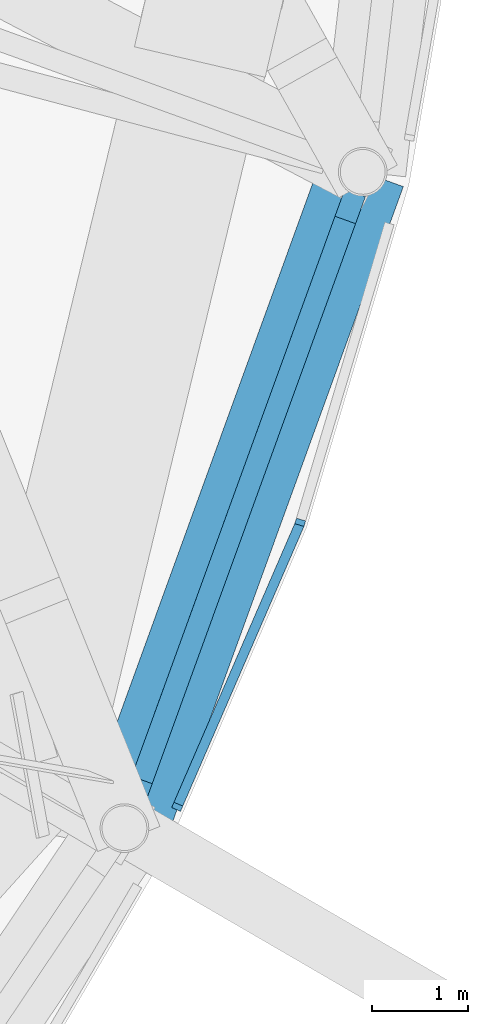
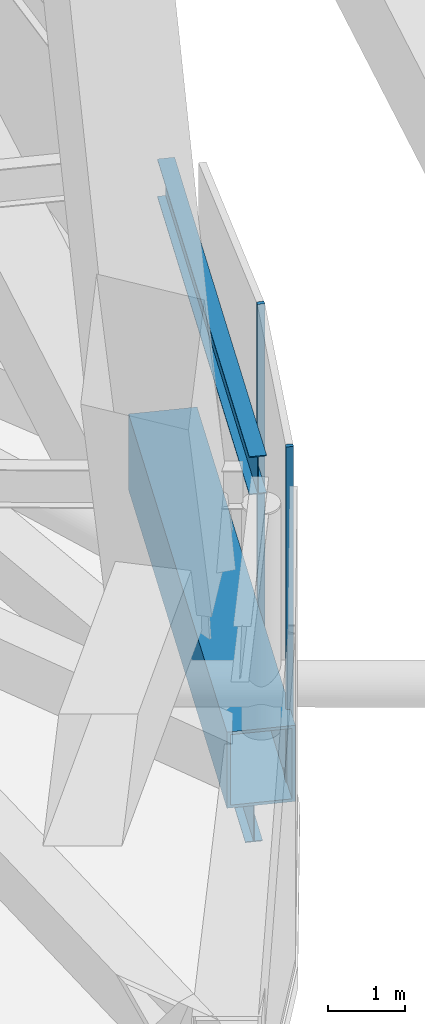
# One storey, part 22 of 60: 3 beams, 3 members, 2 elements without a shape of their own.
"""IFC4 building model written with IfcOpenShell, lengths in metres."""

from ifc_helpers import new_model, si_unit, direction, frame, origin, origin_2d, place, context, subcontext, project, spatial, rectangle, hollow_rectangle, i_section, extrude, material, layer, layer_set, material_profile, profile_set, type_object, element, aggregate, save


model = new_model("IFC4")

# Units and contexts
model_context = context("Model", 3, precision=1e-05, world=origin(), true_north=direction((0.0, 1.0)))
body_context = subcontext(model_context, "Body", "Model", "MODEL_VIEW")
ifc_project = project(units=[si_unit("LENGTHUNIT", "METRE"), si_unit("AREAUNIT", "SQUARE_METRE"), si_unit("VOLUMEUNIT", "CUBIC_METRE"), si_unit("PLANEANGLEUNIT", "RADIAN"), si_unit("MASSUNIT", "GRAM", prefix="KILO")], contexts=[model_context])

# Site, building, storey
site_placement = place(None, origin())
site = spatial("IfcSite", under=ifc_project, at=site_placement, CompositionType="ELEMENT")
building_placement = place(site_placement, origin())
building = spatial("IfcBuilding", under=site, at=building_placement, Name="Nagisa Residences", CompositionType="ELEMENT")
storey_placement = place(building_placement, frame((0.0, 0.0, 206.60009765625)))
storey = spatial("IfcBuildingStorey", under=building, at=storey_placement, Name="L52", CompositionType="ELEMENT", Elevation=206.60009765625)

# Beam
ifc_material_1 = material(Name="Steel ASTM A572 Gr 50", Category="steel")
ifc_material_profile_1 = material_profile(ifc_material_1, hollow_rectangle(XDim=0.89990234375, YDim=1.199951171875, WallThickness=0.044921875, at=origin_2d()), Name="BX 900x1200x45")
ifc_profile_set_1 = profile_set([ifc_material_profile_1], Name="Steel ASTM A572 Gr 50")
beam_type_1 = type_object("IfcBeamType", Name="Belt chord 4 BX 900x1200x45", PredefinedType="BEAM", material=ifc_profile_set_1)
beam_1_placement = place(storey_placement, frame((25.142333984375, -14.1875, 0.599853515625), z_axis=(0.341325710829, 0.939945083038, 0.0), x_axis=(-0.939945083038, 0.341325710829, 0.0)))
element("IfcBeam", 1, at=beam_1_placement, inside=storey, type_object=beam_type_1, Name="beam:L52:bt4b23", PredefinedType="BEAM", context=body_context, shape_type="SweptSolid", body=[
    extrude(hollow_rectangle(XDim=0.89990234375, YDim=1.199951171875, WallThickness=0.044921875, at=origin_2d()), origin(), (0.0, 0.0, 1.0), 7.28076171875),
])

# Curtain wall, member
ifc_material_2 = material(Name="Aluminium curtain wall system", Category="aluminium")
ifc_layer = layer(ifc_material_2, 0.159912109375)
ifc_layer_set = layer_set([ifc_layer], Name="CW5 CURTAIN WALL")
curtain_wall_type = type_object("IfcCurtainWallType", Name="CW5 CURTAIN WALL", PredefinedType="NOTDEFINED", material=ifc_layer_set)
curtain_wall_1_placement = place(storey_placement, origin())
curtain_wall_1 = element("IfcCurtainWall", 2, at=curtain_wall_1_placement, inside=storey, type_object=curtain_wall_type, Name="cw:CW5:L52:44", PredefinedType="NOTDEFINED")
ifc_material_3 = material(Name="Aluminium", Category="aluminium")
ifc_material_profile_2 = material_profile(ifc_material_3, rectangle(XDim=0.10009765625, YDim=0.06005859375, at=origin_2d()), Name="CW5 MULLION 100x60")
ifc_profile_set_2 = profile_set([ifc_material_profile_2], Name="Aluminium")
member_type_1 = type_object("IfcMemberType", Name="CW5 MULLION 100x60", PredefinedType="MULLION", material=ifc_profile_set_2)
member_1_placement = place(storey_placement, frame((25.69287109375, -13.96533203125, 0.0), z_axis=(0.0, 0.0, 1.0), x_axis=(-0.917543276295, 0.397635934147, 0.0)))
member_1 = element("IfcMember", 3, at=member_1_placement, type_object=member_type_1, Name="CW5 mullion", PredefinedType="MULLION", context=body_context, shape_type="SweptSolid", body=[
    extrude(rectangle(XDim=0.10009765625, YDim=0.06005859375, at=origin_2d()), origin(), (0.0, 0.0, 1.0), 5.33984375),
])

curtain_wall_2_placement = place(storey_placement, origin())
curtain_wall_2 = element("IfcCurtainWall", 4, at=curtain_wall_2_placement, inside=storey, type_object=curtain_wall_type, Name="cw:CW5:L52:45", PredefinedType="NOTDEFINED")
member_2_placement = place(storey_placement, frame((26.975341796875, -10.998291015625, 0.0), z_axis=(0.0, 0.0, 1.0), x_axis=(-0.958271310082, 0.285860274038, 0.0)))
member_2 = element("IfcMember", 5, at=member_2_placement, type_object=member_type_1, Name="CW5 mullion", PredefinedType="MULLION", context=body_context, shape_type="SweptSolid", body=[
    extrude(rectangle(XDim=0.10009765625, YDim=0.06005859375, at=origin_2d()), origin(), (0.0, 0.0, 1.0), 5.33984375),
])
aggregate(curtain_wall_2, [member_2])

# Member
ifc_material_4 = material(Name="Aluminium", Category="aluminium")
ifc_material_profile_3 = material_profile(ifc_material_4, rectangle(XDim=0.10009765625, YDim=0.1201171875, at=origin_2d()), Name="CW5 TRANSOM 100x120")
ifc_profile_set_3 = profile_set([ifc_material_profile_3], Name="Aluminium")
member_type_2 = type_object("IfcMemberType", Name="CW5 TRANSOM 100x120", PredefinedType="USERDEFINED", material=ifc_profile_set_3)
member_3_placement = place(storey_placement, frame((25.680908203125, -13.99267578125, 0.059814453125), z_axis=(0.397624344801, 0.917548298686, 0.0), x_axis=(-0.917548298686, 0.397624344801, 0.0)))
member_3 = element("IfcMember", 6, at=member_3_placement, type_object=member_type_2, Name="CW5 transom", ObjectType="TRANSOM", PredefinedType="USERDEFINED", context=body_context, shape_type="SweptSolid", body=[
    extrude(rectangle(XDim=0.10009765625, YDim=0.1201171875, at=origin_2d()), origin(), (0.0, 0.0, 1.0), 3.241943359375),
])

aggregate(curtain_wall_1, [member_1, member_3])

# Beams
ifc_material_5 = material(Name="Steel ASTM A572 Gr 50", Category="steel")
ifc_material_profile_4 = material_profile(ifc_material_5, i_section(OverallWidth=0.22802734375, OverallDepth=0.60302734375, WebThickness=0.010498046875, FlangeThickness=0.014892578125, at=origin_2d()), Name="W610x101")
ifc_profile_set_4 = profile_set([ifc_material_profile_4], Name="Steel ASTM A572 Gr 50")
beam_type_2 = type_object("IfcBeamType", Name="Garden edge beam W610x101", PredefinedType="BEAM", material=ifc_profile_set_4)
beam_2_placement = place(storey_placement, frame((25.22216796875, -13.967529296875, 5.038330078125), z_axis=(0.341337326552, 0.939940864896, 0.0), x_axis=(-0.939940864896, 0.341337326552, 0.0)))
element("IfcBeam", 7, at=beam_2_placement, inside=storey, type_object=beam_type_2, Name="beam:L52:bt4ge23", PredefinedType="BEAM", context=body_context, shape_type="SweptSolid", body=[
    extrude(i_section(OverallWidth=0.22802734375, OverallDepth=0.60302734375, WebThickness=0.010498046875, FlangeThickness=0.014892578125, at=origin_2d()), origin(), (0.0, 0.0, 1.0), 6.812744140625),
])
ifc_material_6 = material(Name="Steel ASTM A572 Gr 50", Category="steel")
ifc_material_profile_5 = material_profile(ifc_material_6, i_section(OverallWidth=0.22802734375, OverallDepth=0.60302734375, WebThickness=0.010498046875, FlangeThickness=0.014892578125, at=origin_2d()), Name="W610x101")
ifc_profile_set_5 = profile_set([ifc_material_profile_5], Name="Steel ASTM A572 Gr 50")
beam_type_3 = type_object("IfcBeamType", Name="Perimeter ring beam W610x101", PredefinedType="BEAM", material=ifc_profile_set_5)
beam_3_placement = place(storey_placement, frame((25.32470703125, -13.685546875, -0.651611328125), z_axis=(0.341320243926, 0.939947068237, 0.0), x_axis=(-0.939947068237, 0.341320243926, 0.0)))
element("IfcBeam", 8, at=beam_3_placement, inside=storey, type_object=beam_type_3, Name="beam:L52:pb23", PredefinedType="BEAM", context=body_context, shape_type="SweptSolid", body=[
    extrude(i_section(OverallWidth=0.22802734375, OverallDepth=0.60302734375, WebThickness=0.010498046875, FlangeThickness=0.014892578125, at=origin_2d()), origin(), (0.0, 0.0, 1.0), 6.212890625),
])

save(model, "model.ifc")
